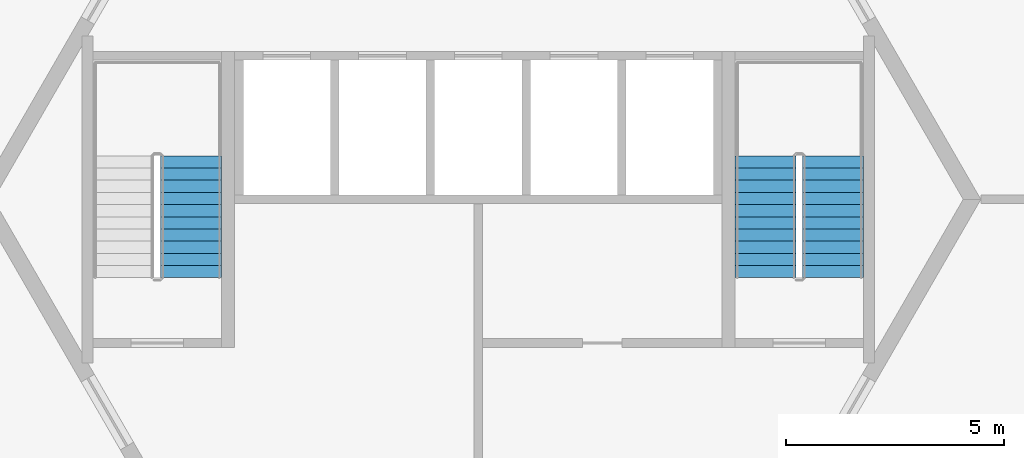
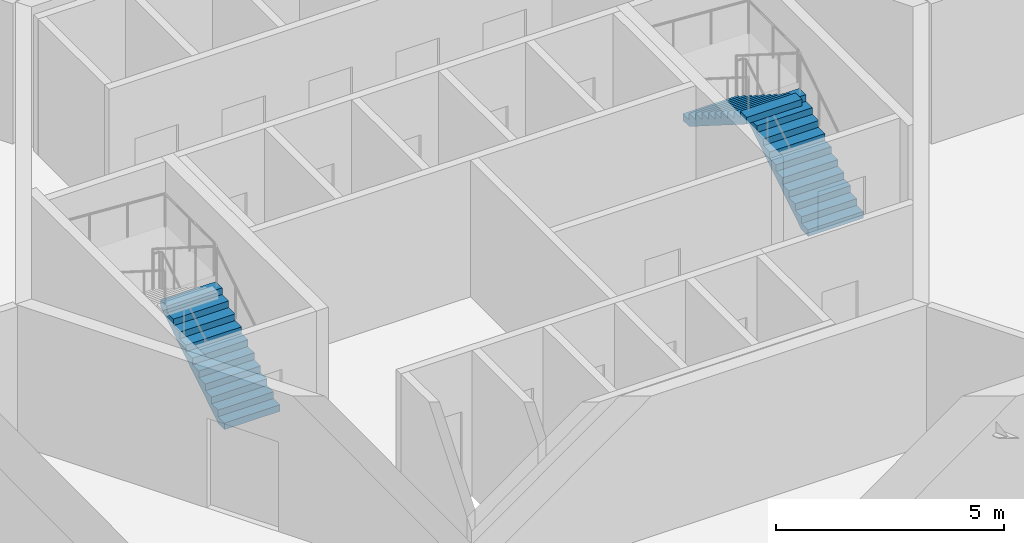
# One storey, part 11 of 12: 3 stair flights, 2 elements without a shape of their own.
"""IFC4 building model written with IfcOpenShell, lengths in metres."""

import ifcopenshell
import ifcopenshell.guid

model = None  # the IFC model being written
_history = None  # IfcOwnerHistory: only IFC2X3 demands one
_inside = {}  # id of a spatial element -> (the spatial element, [elements in it])
_under = {}  # id of a project, library or spatial element -> (it, [spatial elements below it])
_declared = {}  # id of a project -> (the project, [libraries it declares])
_typed = {}  # id of a type object -> (the type object, [elements of that type])
_made_of = {}  # id of a material, layer set ... -> (it, [elements and type objects made of it])


def new_model(schema):
    """Start an empty IFC model of exactly this schema.

    Asked for "IFC4X3", IfcOpenShell would pick the latest addendum, in which some entities
    have other attributes; the version numbers below select the first issue.
    IFC2X3 requires an IfcOwnerHistory on every rooted entity: one is made here for all.
    """
    global model, _history
    if schema == "IFC4X3":
        model = ifcopenshell.file(schema_version=(4, 3, 0, 0))
    else:
        model = ifcopenshell.file(schema=schema)
    _inside.clear()
    _under.clear()
    _declared.clear()
    _typed.clear()
    _made_of.clear()
    _history = None
    if model.schema == "IFC2X3":
        org = make("IfcOrganization", Name="unknown")
        user = make(
            "IfcPersonAndOrganization",
            ThePerson=make("IfcPerson", FamilyName="unknown"),
            TheOrganization=org,
        )
        app = make(
            "IfcApplication",
            ApplicationDeveloper=org,
            Version="unknown",
            ApplicationFullName="unknown",
            ApplicationIdentifier="unknown",
        )
        _history = make(
            "IfcOwnerHistory",
            OwningUser=user,
            OwningApplication=app,
            ChangeAction="ADDED",
            CreationDate=0,
        )
    return model


def make(cls, **values):
    """One entity of the class cls with the attributes given. An attribute that is None is left unset."""
    return model.create_entity(
        cls, **{name: value for name, value in values.items() if value is not None}
    )


def rooted(cls, **values):
    """An entity with a GlobalId (a new one), such as an element, a storey or a relation."""
    return make(cls, GlobalId=ifcopenshell.guid.new(), OwnerHistory=_history, **values)


def si_unit(unit_type, name, prefix=None):
    """IfcSIUnit, for example si_unit("LENGTHUNIT", "METRE", prefix="MILLI")."""
    return make("IfcSIUnit", UnitType=unit_type, Prefix=prefix, Name=name)


def assignment(units):
    """IfcUnitAssignment: the units of a project."""
    return None if units is None else make("IfcUnitAssignment", Units=units)


def point(xyz):
    """IfcCartesianPoint."""
    return None if xyz is None else make("IfcCartesianPoint", Coordinates=xyz)


def direction(xyz):
    """IfcDirection."""
    return None if xyz is None else make("IfcDirection", DirectionRatios=xyz)


def frame(location, z_axis=None, x_axis=None):
    """IfcAxis2Placement3D, a coordinate frame: its origin and axes. An axis left out is left unset."""
    return make(
        "IfcAxis2Placement3D",
        Location=point(location),
        Axis=direction(z_axis),
        RefDirection=direction(x_axis),
    )


def origin():
    """The frame at (0, 0, 0) with its axes left unset."""
    return frame((0.0, 0.0, 0.0))


def place(relative_to, where):
    """IfcLocalPlacement: puts the frame where relative to a parent placement (None: the world)."""
    return make(
        "IfcLocalPlacement", PlacementRelTo=relative_to, RelativePlacement=where
    )


def context(
    kind, dimensions, precision=None, world=None, true_north=None, identifier=None
):
    """IfcGeometricRepresentationContext, for example the 3D "Model" context."""
    return make(
        "IfcGeometricRepresentationContext",
        ContextIdentifier=identifier,
        ContextType=kind,
        CoordinateSpaceDimension=dimensions,
        Precision=precision,
        WorldCoordinateSystem=world,
        TrueNorth=true_north,
    )


def subcontext(parent, identifier, kind, view, scale=None):
    """IfcGeometricRepresentationSubContext, for example "Body" below "Model"."""
    return make(
        "IfcGeometricRepresentationSubContext",
        ContextIdentifier=identifier,
        ContextType=kind,
        ParentContext=parent,
        TargetScale=scale,
        TargetView=view,
    )


def project(units=None, contexts=None):
    """IfcProject with its units and contexts."""
    return rooted(
        "IfcProject",
        Name="project",
        RepresentationContexts=contexts,
        UnitsInContext=assignment(units),
    )


def spatial(cls, under=None, at=None, **own):
    """A site, building, storey or space (cls), placed at a placement, below another one or the project."""
    s = rooted(cls, ObjectPlacement=at, **own)
    if under is not None:
        _under.setdefault(under.id(), (under, []))[1].append(s)
    return s


def polyline(points):
    """IfcPolyline through the points."""
    return make("IfcPolyline", Points=[point(p) for p in points])


def outline(outer, holes=None, kind="AREA"):
    """IfcArbitraryClosedProfileDef: a profile drawn as a closed curve; with holes, ...WithVoids."""
    if holes is None:
        return make("IfcArbitraryClosedProfileDef", ProfileType=kind, OuterCurve=outer)
    return make(
        "IfcArbitraryProfileDefWithVoids",
        ProfileType=kind,
        OuterCurve=outer,
        InnerCurves=holes,
    )


def extrude(swept, where, along, depth):
    """IfcExtrudedAreaSolid: the profile swept, set in the frame where, extruded along a direction by depth."""
    return make(
        "IfcExtrudedAreaSolid",
        SweptArea=swept,
        Position=where,
        ExtrudedDirection=direction(along),
        Depth=depth,
    )


def shape(context_of_items, identifier, shape_type, items):
    """IfcShapeRepresentation: the items that make up one representation, for example the "Body"."""
    return make(
        "IfcShapeRepresentation",
        ContextOfItems=context_of_items,
        RepresentationIdentifier=identifier,
        RepresentationType=shape_type,
        Items=items,
    )


def material(Name=None, Category=None):
    """IfcMaterial."""
    return make("IfcMaterial", Name=Name, Category=Category)


def made_of(thing, what):
    """Note that an element or type object is made of a material, layer set ...; save() writes the relation."""
    if what is not None:
        _made_of.setdefault(what.id(), (what, []))[1].append(thing)
    return thing


def type_object(cls, material=None, **own):
    """A type object (cls), such as IfcWallType, which elements share."""
    return made_of(rooted(cls, **own), material)


def element(
    cls,
    number,
    at=None,
    inside=None,
    cuts=None,
    type_object=None,
    material=None,
    context=None,
    identifier="Body",
    shape_type=None,
    held_by="IfcProductDefinitionShape",
    body=None,
    shapes=None,
    **own,
):
    """One element of the class cls, such as IfcWall. Its Tag is "e" and its number.

    at: its placement. inside: the storey or other place that contains it. cuts: it is an
    opening in that element (IfcRelVoidsElement). A single representation is given by context,
    identifier, shape_type and body (its items); several are given by shapes. held_by: the class
    of the entity that holds the representations. save() writes the other relations.
    """
    e = rooted(cls, Tag="e%d" % number, ObjectPlacement=at, **own)
    if body is not None:
        shapes = [shape(context, identifier, shape_type, body)]
    if shapes is not None:
        e.Representation = make(held_by, Representations=shapes)
    if inside is not None:
        _inside.setdefault(inside.id(), (inside, []))[1].append(e)
    if cuts is not None:
        rooted(
            "IfcRelVoidsElement", RelatingBuildingElement=cuts, RelatedOpeningElement=e
        )
    if type_object is not None:
        _typed.setdefault(type_object.id(), (type_object, []))[1].append(e)
    return made_of(e, material)


def aggregate(whole, parts):
    """IfcRelAggregates: a whole, such as a stair, and the parts it consists of."""
    return rooted("IfcRelAggregates", RelatingObject=whole, RelatedObjects=parts)


def save(model, path):
    """Write the relations noted so far, then the file.

    IfcRelAggregates (storeys below a building ...), IfcRelContainedInSpatialStructure (elements
    in a storey), IfcRelDefinesByType, IfcRelAssociatesMaterial and IfcRelDeclares: one each for
    every whole, place, type object, material and project.
    """
    for whole, parts in _under.values():
        aggregate(whole, parts)
    for where, things in _inside.values():
        rooted(
            "IfcRelContainedInSpatialStructure",
            RelatedElements=things,
            RelatingStructure=where,
        )
    for kind, things in _typed.values():
        rooted("IfcRelDefinesByType", RelatedObjects=things, RelatingType=kind)
    for what, things in _made_of.values():
        rooted("IfcRelAssociatesMaterial", RelatedObjects=things, RelatingMaterial=what)
    for by, libraries in _declared.values():
        rooted("IfcRelDeclares", RelatingContext=by, RelatedDefinitions=libraries)
    model.write(path)


model = new_model("IFC4")

# Units and contexts
model_context = context("Model", 3, precision=1e-05, world=origin(), true_north=direction((0.0, 1.0)))
body_context = subcontext(model_context, "Body", "Model", "MODEL_VIEW")
ifc_project = project(units=[si_unit("LENGTHUNIT", "METRE"), si_unit("AREAUNIT", "SQUARE_METRE"), si_unit("VOLUMEUNIT", "CUBIC_METRE"), si_unit("PLANEANGLEUNIT", "RADIAN"), si_unit("MASSUNIT", "GRAM", prefix="KILO")], contexts=[model_context])

# Site, building, storey
site_placement = place(None, origin())
site = spatial("IfcSite", under=ifc_project, at=site_placement, CompositionType="ELEMENT")
building_placement = place(site_placement, origin())
building = spatial("IfcBuilding", under=site, at=building_placement, Name="Tarnside Tower", CompositionType="ELEMENT")
storey_placement = place(building_placement, frame((0.0, 0.0, 131.10009765625)))
storey = spatial("IfcBuildingStorey", under=building, at=storey_placement, Name="L30", CompositionType="ELEMENT", Elevation=131.10009765625)

# Stair, stair flights
ifc_material = material(Name="Concrete C40/50", Category="concrete")
stair_type = type_object("IfcStairType", Name="Exit stair 1400 clear", PredefinedType="HALF_TURN_STAIR", material=ifc_material)
stair_1_placement = place(storey_placement, origin())
stair_1 = element("IfcStair", 1, at=stair_1_placement, inside=storey, type_object=stair_type, Name="L30 Exit stair 1", PredefinedType="HALF_TURN_STAIR")
stair_flight_type = type_object("IfcStairFlightType", Name="Exit stair flight 1400", PredefinedType="STRAIGHT", material=ifc_material)
stair_flight_1_placement = place(storey_placement, frame((8.14990234375, -1.800048828125, 0.0), z_axis=(0.0, 0.0, 1.0), x_axis=(0.0, 1.0, 0.0)))
stair_flight_1 = element("IfcStairFlight", 2, at=stair_flight_1_placement, type_object=stair_flight_type, Name="ST1 flight 1", NumberOfRisers=11, NumberOfTreads=10, PredefinedType="STRAIGHT", RiserHeight=0.177272727, TreadLength=0.28, context=body_context, shape_type="SweptSolid", body=[
    extrude(outline(polyline([(0.0, 0.0), (0.0, 0.17724609375), (0.280029296875, 0.17724609375), (0.280029296875, 0.3544921875), (0.56005859375, 0.3544921875), (0.56005859375, 0.53173828125), (0.840087890625, 0.53173828125), (0.840087890625, 0.708984375), (1.1201171875, 0.708984375), (1.1201171875, 0.886474609375), (1.39990234375, 0.886474609375), (1.39990234375, 1.063720703125), (1.679931640625, 1.063720703125), (1.679931640625, 1.240966796875), (1.9599609375, 1.240966796875), (1.9599609375, 1.418212890625), (2.239990234375, 1.418212890625), (2.239990234375, 1.595458984375), (2.52001953125, 1.595458984375), (2.52001953125, 1.772705078125), (2.800048828125, 1.772705078125), (2.800048828125, 1.949951171875), (2.800048828125, 1.59521484375), (0.2802734375, 0.0), (0.0, 0.0)])), frame((0.0, 0.699951171875, 0.0), z_axis=(0.0, -1.0, 0.0), x_axis=(1.0, 0.0, 0.0)), (0.0, 0.0, 1.0), 1.39990234375),
])
stair_flight_2_placement = place(storey_placement, frame((6.60009765625, 1.0, 1.949951171875), z_axis=(0.0, 0.0, 1.0), x_axis=(0.0, -1.0, 0.0)))
stair_flight_2 = element("IfcStairFlight", 3, at=stair_flight_2_placement, type_object=stair_flight_type, Name="ST1 flight 2", NumberOfRisers=11, NumberOfTreads=10, PredefinedType="STRAIGHT", RiserHeight=0.177272727, TreadLength=0.28, context=body_context, shape_type="SweptSolid", body=[
    extrude(outline(polyline([(0.0, 0.0), (0.0, 0.17724609375), (0.280029296875, 0.17724609375), (0.280029296875, 0.3544921875), (0.56005859375, 0.3544921875), (0.56005859375, 0.53173828125), (0.840087890625, 0.53173828125), (0.840087890625, 0.708984375), (1.1201171875, 0.708984375), (1.1201171875, 0.886474609375), (1.39990234375, 0.886474609375), (1.39990234375, 1.063720703125), (1.679931640625, 1.063720703125), (1.679931640625, 1.240966796875), (1.9599609375, 1.240966796875), (1.9599609375, 1.418212890625), (2.239990234375, 1.418212890625), (2.239990234375, 1.595458984375), (2.52001953125, 1.595458984375), (2.52001953125, 1.772705078125), (2.800048828125, 1.772705078125), (2.800048828125, 1.949951171875), (2.800048828125, 1.59521484375), (0.2802734375, 0.0), (0.0, 0.0)])), frame((0.0, 0.699951171875, 0.0), z_axis=(0.0, -1.0, 0.0), x_axis=(1.0, 0.0, 0.0)), (0.0, 0.0, 1.0), 1.39990234375),
])
aggregate(stair_1, [stair_flight_1, stair_flight_2])

# Stair, stair flight
stair_2_placement = place(storey_placement, origin())
stair_2 = element("IfcStair", 4, at=stair_2_placement, inside=storey, type_object=stair_type, Name="L30 Exit stair 2", PredefinedType="HALF_TURN_STAIR")
stair_flight_3_placement = place(storey_placement, frame((-6.60009765625, -1.800048828125, 0.0), z_axis=(0.0, 0.0, 1.0), x_axis=(0.0, 1.0, 0.0)))
stair_flight_3 = element("IfcStairFlight", 5, at=stair_flight_3_placement, type_object=stair_flight_type, Name="ST2 flight 1", NumberOfRisers=11, NumberOfTreads=10, PredefinedType="STRAIGHT", RiserHeight=0.177272727, TreadLength=0.28, context=body_context, shape_type="SweptSolid", body=[
    extrude(outline(polyline([(0.0, 0.0), (0.0, 0.17724609375), (0.280029296875, 0.17724609375), (0.280029296875, 0.3544921875), (0.56005859375, 0.3544921875), (0.56005859375, 0.53173828125), (0.840087890625, 0.53173828125), (0.840087890625, 0.708984375), (1.1201171875, 0.708984375), (1.1201171875, 0.886474609375), (1.39990234375, 0.886474609375), (1.39990234375, 1.063720703125), (1.679931640625, 1.063720703125), (1.679931640625, 1.240966796875), (1.9599609375, 1.240966796875), (1.9599609375, 1.418212890625), (2.239990234375, 1.418212890625), (2.239990234375, 1.595458984375), (2.52001953125, 1.595458984375), (2.52001953125, 1.772705078125), (2.800048828125, 1.772705078125), (2.800048828125, 1.949951171875), (2.800048828125, 1.59521484375), (0.2802734375, 0.0), (0.0, 0.0)])), frame((0.0, 0.699951171875, 0.0), z_axis=(0.0, -1.0, 0.0), x_axis=(1.0, 0.0, 0.0)), (0.0, 0.0, 1.0), 1.39990234375),
])
aggregate(stair_2, [stair_flight_3])

save(model, "model.ifc")
